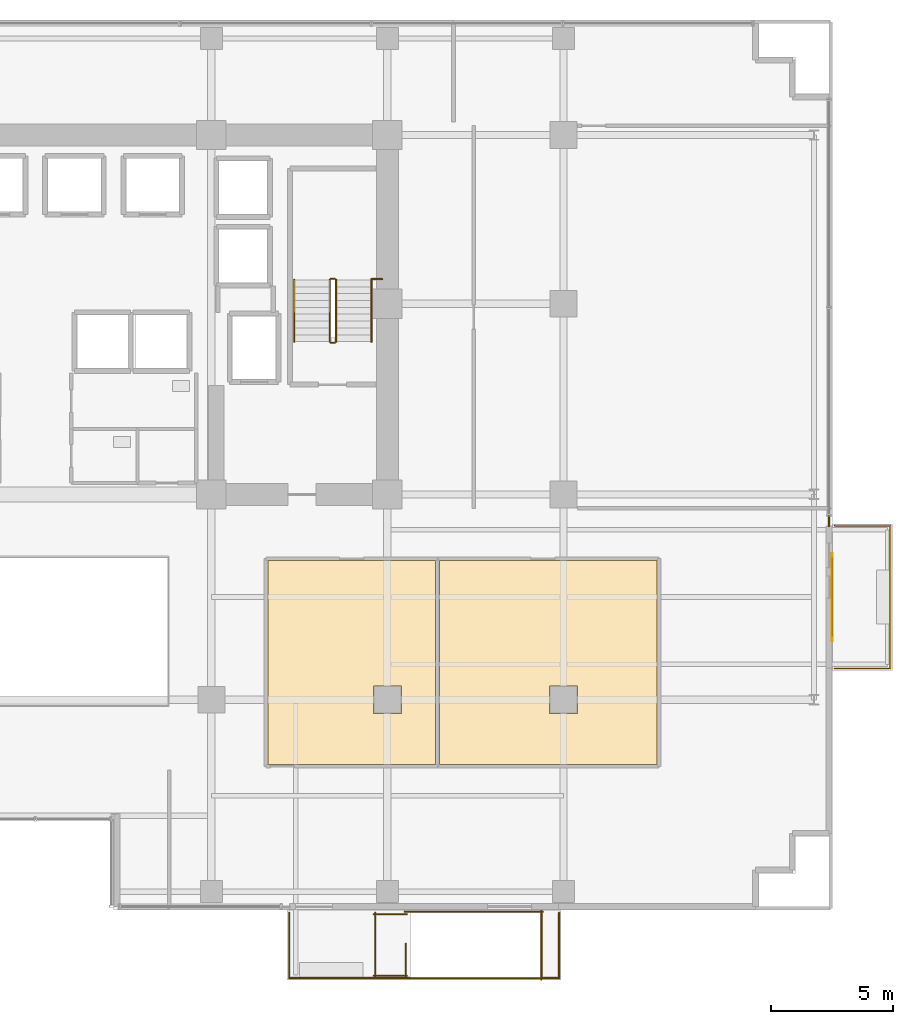
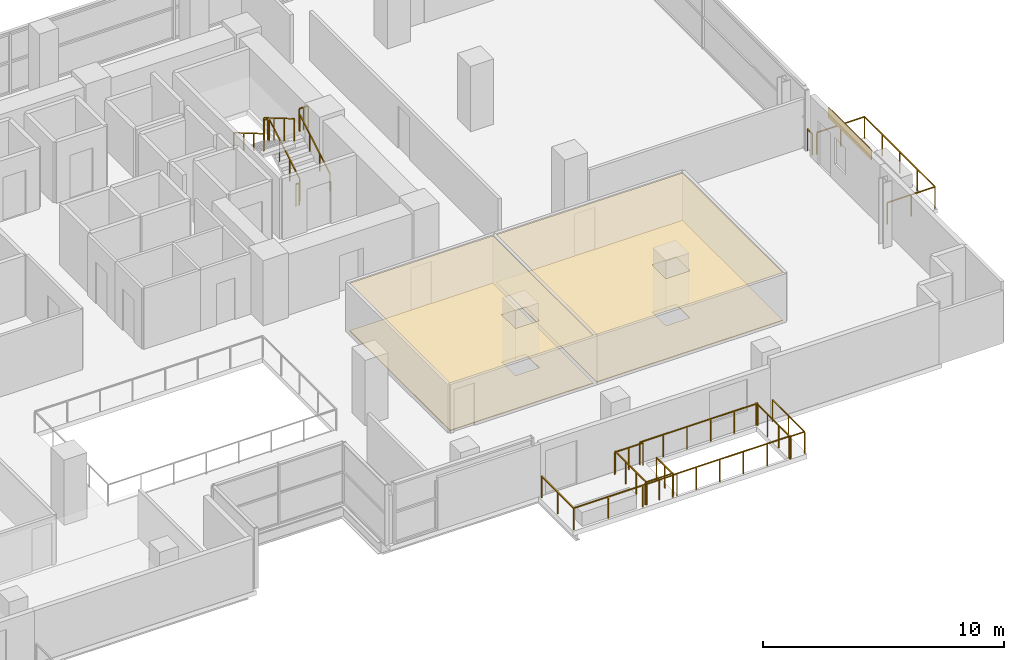
# One storey, part 27 of 28: 18 railings, 5 coverings, 1 shading device.
"""IFC4 building model written with IfcOpenShell, lengths in metres."""

from ifc_helpers import new_model, si_unit, direction, frame, origin, origin_2d, place, context, subcontext, project, spatial, polyline, rectangle, outline, extrude, source, transform, mapped, material, layer, layer_set, type_object, element, save


model = new_model("IFC4")

# Units and contexts
model_context = context("Model", 3, precision=1e-05, world=origin(), true_north=direction((0.0, 1.0)))
body_context = subcontext(model_context, "Body", "Model", "MODEL_VIEW")
ifc_project = project(units=[si_unit("LENGTHUNIT", "METRE"), si_unit("AREAUNIT", "SQUARE_METRE"), si_unit("VOLUMEUNIT", "CUBIC_METRE"), si_unit("PLANEANGLEUNIT", "RADIAN"), si_unit("MASSUNIT", "GRAM", prefix="KILO")], contexts=[model_context])

# Site, building, storey
site_placement = place(None, origin())
site = spatial("IfcSite", under=ifc_project, at=site_placement, CompositionType="ELEMENT")
building_placement = place(site_placement, origin())
building = spatial("IfcBuilding", under=site, at=building_placement, Name="Zarnakvel Exchange Tower", CompositionType="ELEMENT")
storey_placement = place(building_placement, frame((0.0, 0.0, 57.10009765625)))
storey = spatial("IfcBuildingStorey", under=building, at=storey_placement, Name="L15", CompositionType="ELEMENT", Elevation=57.10009765625)

# Coverings
ifc_material_1 = material(Name="Perforated Bronze Acoustic Metal Ceiling", Category="aluminium")
ifc_layer_1 = layer(ifc_material_1, 0.02001953125)
ifc_layer_set_1 = layer_set([ifc_layer_1], Name="Perforated Bronze Acoustic Metal Ceiling")
covering_type_1 = type_object("IfcCoveringType", Name="CLG-01", PredefinedType="CEILING", material=ifc_layer_set_1)
covering_1_placement = place(storey_placement, frame((0.0, 0.0, 2.40478515625)))
element("IfcCovering", 1, at=covering_1_placement, inside=storey, type_object=covering_type_1, Name="L15 Suspended Acoustic Ceiling (Seminar Room)", PredefinedType="CEILING", context=body_context, shape_type="SweptSolid", body=[
    extrude(outline(polyline([(9.510009765625, -3.909912109375), (16.364501953125, -3.909912109375), (16.364501953125, -12.239990234375), (9.510009765625, -12.239990234375), (9.510009765625, -3.909912109375)]), holes=[polyline([(13.830078125, -10.169921875), (14.969970703125, -10.169921875), (14.969970703125, -9.030029296875), (13.830078125, -9.030029296875), (13.830078125, -10.169921875)])]), origin(), (0.0, 0.0, 1.0), 0.02001953125),
])
covering_2_placement = place(storey_placement, frame((0.0, 0.0, 2.40478515625)))
element("IfcCovering", 2, at=covering_2_placement, inside=storey, type_object=covering_type_1, Name="L15 Suspended Acoustic Ceiling (Boardroom)", PredefinedType="CEILING", context=body_context, shape_type="SweptSolid", body=[
    extrude(outline(polyline([(16.5244140625, -3.909912109375), (25.435302734375, -3.909912109375), (25.435302734375, -12.239990234375), (16.5244140625, -12.239990234375), (16.5244140625, -3.909912109375)]), holes=[polyline([(22.169921875, -10.169921875), (22.169921875, -9.030029296875), (21.030029296875, -9.030029296875), (21.030029296875, -10.169921875), (22.169921875, -10.169921875)])]), origin(), (0.0, 0.0, 1.0), 0.02001953125),
])
ifc_material_2 = material(Name="Heavy-Duty Raised Access Floor Panel", Category="steel")
ifc_layer_2 = layer(ifc_material_2, 0.034912109375)
ifc_layer_set_2 = layer_set([ifc_layer_2], Name="Heavy-Duty Raised Access Floor Panel")
covering_type_2 = type_object("IfcCoveringType", Name="FLR-02", PredefinedType="FLOORING", material=ifc_layer_set_2)
covering_3_placement = place(storey_placement, origin())
element("IfcCovering", 3, at=covering_3_placement, inside=storey, type_object=covering_type_2, Name="L15 Floor Finish (Seminar Room)", PredefinedType="FLOORING", context=body_context, shape_type="SweptSolid", body=[
    extrude(outline(polyline([(9.510009765625, -3.909912109375), (16.364501953125, -3.909912109375), (16.364501953125, -12.239990234375), (9.510009765625, -12.239990234375), (9.510009765625, -3.909912109375)]), holes=[polyline([(13.830078125, -10.169921875), (14.969970703125, -10.169921875), (14.969970703125, -9.030029296875), (13.830078125, -9.030029296875), (13.830078125, -10.169921875)])]), origin(), (0.0, 0.0, 1.0), 0.034912109375),
])
covering_4_placement = place(storey_placement, origin())
element("IfcCovering", 4, at=covering_4_placement, inside=storey, type_object=covering_type_2, Name="L15 Floor Finish (Boardroom)", PredefinedType="FLOORING", context=body_context, shape_type="SweptSolid", body=[
    extrude(outline(polyline([(16.5244140625, -3.909912109375), (25.435302734375, -3.909912109375), (25.435302734375, -12.239990234375), (16.5244140625, -12.239990234375), (16.5244140625, -3.909912109375)]), holes=[polyline([(22.169921875, -10.169921875), (22.169921875, -9.030029296875), (21.030029296875, -9.030029296875), (21.030029296875, -10.169921875), (22.169921875, -10.169921875)])]), origin(), (0.0, 0.0, 1.0), 0.034912109375),
])

# Railings
ifc_material_3 = material(Name="Architectural Bronze Anodised Aluminium", Category="aluminium")
railing_type_1 = type_object("IfcRailingType", Name="GR-02", PredefinedType="GUARDRAIL", material=ifc_material_3)
railing_1_placement = place(storey_placement, frame((32.679931640625, -8.320068359375, -0.03515625)))
element("IfcRailing", 5, at=railing_1_placement, inside=storey, type_object=railing_type_1, Name="L15 Balcony Guardrail BAL-L15-E", PredefinedType="GUARDRAIL", context=body_context, shape_type="SweptSolid", body=[
    extrude(rectangle(XDim=0.048095703125, YDim=0.048095703125, at=origin_2d()), frame((0.0, 0.0, 1.09619140625), z_axis=(1.0, 0.0, 0.0), x_axis=(0.0, 1.0, 0.0)), (0.0, 0.0, 1.0), 2.2900390625),
    extrude(rectangle(XDim=0.048095703125, YDim=0.048095703125, at=origin_2d()), frame((2.2900390625, 0.0, 1.09619140625), z_axis=(0.0, 1.0, 0.0), x_axis=(-1.0, 0.0, 0.0)), (0.0, 0.0, 1.0), 5.840087890625),
    extrude(rectangle(XDim=0.048095703125, YDim=0.048095703125, at=origin_2d()), frame((2.2900390625, 5.840087890625, 1.09619140625), z_axis=(-1.0, 0.0, 0.0), x_axis=(0.0, -1.0, 0.0)), (0.0, 0.0, 1.0), 2.2900390625),
    extrude(rectangle(XDim=0.0419921875, YDim=0.0419921875, at=origin_2d()), origin(), (0.0, 0.0, 1.0), 1.072021484375),
    extrude(rectangle(XDim=0.0419921875, YDim=0.0419921875, at=origin_2d()), frame((1.14501953125, 0.0, 0.0)), (0.0, 0.0, 1.0), 1.072021484375),
    extrude(rectangle(XDim=0.0419921875, YDim=0.0419921875, at=origin_2d()), frame((2.2900390625, 0.0, 0.0)), (0.0, 0.0, 1.0), 1.072021484375),
    extrude(rectangle(XDim=0.0419921875, YDim=0.0419921875, at=origin_2d()), frame((2.2900390625, 1.4599609375, 0.0)), (0.0, 0.0, 1.0), 1.072021484375),
    extrude(rectangle(XDim=0.0419921875, YDim=0.0419921875, at=origin_2d()), frame((2.2900390625, 2.919921875, 0.0)), (0.0, 0.0, 1.0), 1.072021484375),
    extrude(rectangle(XDim=0.0419921875, YDim=0.0419921875, at=origin_2d()), frame((2.2900390625, 4.380126953125, 0.0)), (0.0, 0.0, 1.0), 1.072021484375),
    extrude(rectangle(XDim=0.0419921875, YDim=0.0419921875, at=origin_2d()), frame((2.2900390625, 5.840087890625, 0.0)), (0.0, 0.0, 1.0), 1.072021484375),
    extrude(rectangle(XDim=0.0419921875, YDim=0.0419921875, at=origin_2d()), frame((1.14501953125, 5.840087890625, 0.0)), (0.0, 0.0, 1.0), 1.072021484375),
    extrude(rectangle(XDim=0.0419921875, YDim=0.0419921875, at=origin_2d()), frame((0.0, 5.840087890625, 0.0)), (0.0, 0.0, 1.0), 1.072021484375),
])
railing_2_placement = place(storey_placement, frame((10.3798828125, -18.320068359375, 0.0)))
element("IfcRailing", 6, at=railing_2_placement, inside=storey, type_object=railing_type_1, Name="L15 Spiral Sky-Terrace West Perimeter Guardrail", PredefinedType="GUARDRAIL", context=body_context, shape_type="SweptSolid", body=[
    extrude(rectangle(XDim=0.048095703125, YDim=0.048095703125, at=origin_2d()), frame((0.0, 0.0, 1.09619140625), z_axis=(0.0, -1.0, 0.0), x_axis=(1.0, 0.0, 0.0)), (0.0, 0.0, 1.0), 2.659912109375),
    extrude(rectangle(XDim=0.048095703125, YDim=0.048095703125, at=origin_2d()), frame((0.0, -2.659912109375, 1.09619140625), z_axis=(1.0, 0.0, 0.0), x_axis=(0.0, 1.0, 0.0)), (0.0, 0.0, 1.0), 4.940185546875),
    extrude(rectangle(XDim=0.0419921875, YDim=0.0419921875, at=origin_2d()), origin(), (0.0, 0.0, 1.0), 1.072021484375),
    extrude(rectangle(XDim=0.0419921875, YDim=0.0419921875, at=origin_2d()), frame((0.0, -1.330078125, 0.0)), (0.0, 0.0, 1.0), 1.072021484375),
    extrude(rectangle(XDim=0.0419921875, YDim=0.0419921875, at=origin_2d()), frame((0.0, -2.659912109375, 0.0)), (0.0, 0.0, 1.0), 1.072021484375),
    extrude(rectangle(XDim=0.0419921875, YDim=0.0419921875, at=origin_2d()), frame((1.646728515625, -2.659912109375, 0.0)), (0.0, 0.0, 1.0), 1.072021484375),
    extrude(rectangle(XDim=0.0419921875, YDim=0.0419921875, at=origin_2d()), frame((3.29345703125, -2.659912109375, 0.0)), (0.0, 0.0, 1.0), 1.072021484375),
    extrude(rectangle(XDim=0.0419921875, YDim=0.0419921875, at=origin_2d()), frame((4.940185546875, -2.659912109375, 0.0)), (0.0, 0.0, 1.0), 1.072021484375),
])
railing_3_placement = place(storey_placement, frame((20.68994140625, -20.97998046875, 0.0)))
element("IfcRailing", 7, at=railing_3_placement, inside=storey, type_object=railing_type_1, Name="L15 Spiral Sky-Terrace East Corner Guardrail", PredefinedType="GUARDRAIL", context=body_context, shape_type="SweptSolid", body=[
    extrude(rectangle(XDim=0.048095703125, YDim=0.048095703125, at=origin_2d()), frame((0.0, 0.0, 1.09619140625), z_axis=(1.0, 0.0, 0.0), x_axis=(0.0, 1.0, 0.0)), (0.0, 0.0, 1.0), 0.72998046875),
    extrude(rectangle(XDim=0.048095703125, YDim=0.048095703125, at=origin_2d()), frame((0.72998046875, 0.0, 1.09619140625), z_axis=(0.0, 1.0, 0.0), x_axis=(-1.0, 0.0, 0.0)), (0.0, 0.0, 1.0), 2.659912109375),
    extrude(rectangle(XDim=0.0419921875, YDim=0.0419921875, at=origin_2d()), origin(), (0.0, 0.0, 1.0), 1.072021484375),
    extrude(rectangle(XDim=0.0419921875, YDim=0.0419921875, at=origin_2d()), frame((0.72998046875, 0.0, 0.0)), (0.0, 0.0, 1.0), 1.072021484375),
    extrude(rectangle(XDim=0.0419921875, YDim=0.0419921875, at=origin_2d()), frame((0.72998046875, 1.330078125, 0.0)), (0.0, 0.0, 1.0), 1.072021484375),
    extrude(rectangle(XDim=0.0419921875, YDim=0.0419921875, at=origin_2d()), frame((0.72998046875, 2.659912109375, 0.0)), (0.0, 0.0, 1.0), 1.072021484375),
])
railing_4_placement = place(storey_placement, frame((32.4599609375, -2.10009765625, 0.0)))
element("IfcRailing", 8, at=railing_4_placement, inside=storey, type_object=railing_type_1, Name="L15 Corner Spandrel Balustrade #9", PredefinedType="GUARDRAIL", context=body_context, shape_type="SweptSolid", body=[
    extrude(rectangle(XDim=0.048095703125, YDim=0.048095703125, at=origin_2d()), frame((0.0, 0.0, 1.09619140625), z_axis=(0.0, -1.0, 0.0), x_axis=(1.0, 0.0, 0.0)), (0.0, 0.0, 1.0), 0.39990234375),
    extrude(rectangle(XDim=0.0419921875, YDim=0.0419921875, at=origin_2d()), origin(), (0.0, 0.0, 1.0), 1.072021484375),
    extrude(rectangle(XDim=0.0419921875, YDim=0.0419921875, at=origin_2d()), frame((0.0, -0.39990234375, 0.0)), (0.0, 0.0, 1.0), 1.072021484375),
])
ifc_material_4 = material(Name="Brushed Stainless Steel", Category="steel")
railing_type_2 = type_object("IfcRailingType", Name="HR-01", PredefinedType="HANDRAIL", material=ifc_material_4)
railing_5_placement = place(storey_placement, frame((13.75, 5.050048828125, 0.164794921875)))
element("IfcRailing", 9, at=railing_5_placement, inside=storey, type_object=railing_type_2, Name="L15 ST-02 stair handrail 1", PredefinedType="HANDRAIL", context=body_context, shape_type="SweptSolid", body=[
    extrude(rectangle(XDim=0.048095703125, YDim=0.048095703125, at=origin_2d()), frame((0.0, 0.0, 0.8759765625), z_axis=(0.0, 0.86152411907, 0.507716645641), x_axis=(-1.0, 0.0, 0.0)), (0.0, 0.0, 1.0), 2.925048828125),
    extrude(rectangle(XDim=0.0419921875, YDim=0.0419921875, at=origin_2d()), origin(), (0.0, 0.0, 1.0), 0.851806640625),
    extrude(rectangle(XDim=0.0419921875, YDim=0.0419921875, at=origin_2d()), frame((0.0, 0.840087890625, 0.4951171875)), (0.0, 0.0, 1.0), 0.851806640625),
    extrude(rectangle(XDim=0.0419921875, YDim=0.0419921875, at=origin_2d()), frame((0.0, 1.679931640625, 0.989990234375)), (0.0, 0.0, 1.0), 0.851806640625),
    extrude(rectangle(XDim=0.0419921875, YDim=0.0419921875, at=origin_2d()), frame((0.0, 2.52001953125, 1.485107421875)), (0.0, 0.0, 1.0), 0.851806640625),
])
railing_6_placement = place(storey_placement, frame((10.590087890625, 7.570068359375, 1.81494140625)))
element("IfcRailing", 10, at=railing_6_placement, inside=storey, type_object=railing_type_2, Name="L15 ST-02 stair handrail 2", PredefinedType="HANDRAIL", context=body_context, shape_type="SweptSolid", body=[
    extrude(rectangle(XDim=0.048095703125, YDim=0.048095703125, at=origin_2d()), frame((0.0, 0.0, 0.8759765625), z_axis=(0.0, -0.861560626758, 0.507654692109), x_axis=(1.0, 0.0, 0.0)), (0.0, 0.0, 1.0), 2.925048828125),
    extrude(rectangle(XDim=0.0419921875, YDim=0.0419921875, at=origin_2d()), origin(), (0.0, 0.0, 1.0), 0.851806640625),
    extrude(rectangle(XDim=0.0419921875, YDim=0.0419921875, at=origin_2d()), frame((0.0, -0.840087890625, 0.494873046875)), (0.0, 0.0, 1.0), 0.851806640625),
    extrude(rectangle(XDim=0.0419921875, YDim=0.0419921875, at=origin_2d()), frame((0.0, -1.679931640625, 0.989990234375)), (0.0, 0.0, 1.0), 0.851806640625),
    extrude(rectangle(XDim=0.0419921875, YDim=0.0419921875, at=origin_2d()), frame((0.0, -2.52001953125, 1.48486328125)), (0.0, 0.0, 1.0), 0.851806640625),
])
railing_type_3 = type_object("IfcRailingType", Name="SG-01", PredefinedType="GUARDRAIL", material=ifc_material_3)
railing_7_placement = place(storey_placement, frame((12.300048828125, 5.050048828125, 0.164794921875)))
element("IfcRailing", 11, at=railing_7_placement, inside=storey, type_object=railing_type_3, Name="L15 ST-02 stair guard 1", PredefinedType="GUARDRAIL", context=body_context, shape_type="SweptSolid", body=[
    extrude(rectangle(XDim=0.048095703125, YDim=0.048095703125, at=origin_2d()), frame((0.0, 0.0, 1.1259765625), z_axis=(0.0, 0.86152411907, 0.507716645641), x_axis=(-1.0, 0.0, 0.0)), (0.0, 0.0, 1.0), 2.925048828125),
    extrude(rectangle(XDim=0.0419921875, YDim=0.0419921875, at=origin_2d()), origin(), (0.0, 0.0, 1.0), 1.101806640625),
    extrude(rectangle(XDim=0.0419921875, YDim=0.0419921875, at=origin_2d()), frame((0.0, 0.840087890625, 0.4951171875)), (0.0, 0.0, 1.0), 1.101806640625),
    extrude(rectangle(XDim=0.0419921875, YDim=0.0419921875, at=origin_2d()), frame((0.0, 1.679931640625, 0.989990234375)), (0.0, 0.0, 1.0), 1.101806640625),
    extrude(rectangle(XDim=0.0419921875, YDim=0.0419921875, at=origin_2d()), frame((0.0, 2.52001953125, 1.485107421875)), (0.0, 0.0, 1.0), 1.101806640625),
])
railing_8_placement = place(storey_placement, frame((12.25, 7.6201171875, 1.64990234375)))
element("IfcRailing", 12, at=railing_8_placement, inside=storey, type_object=railing_type_3, Name="L15 ST-02 stair guard 2", PredefinedType="GUARDRAIL", context=body_context, shape_type="SweptSolid", body=[
    extrude(rectangle(XDim=0.048095703125, YDim=0.048095703125, at=origin_2d()), frame((0.0, 0.0, 1.1259765625), z_axis=(-1.0, 0.0, 0.0), x_axis=(0.0, -1.0, 0.0)), (0.0, 0.0, 1.0), 0.159912109375),
    extrude(rectangle(XDim=0.0419921875, YDim=0.0419921875, at=origin_2d()), origin(), (0.0, 0.0, 1.0), 1.101806640625),
    extrude(rectangle(XDim=0.0419921875, YDim=0.0419921875, at=origin_2d()), frame((-0.159912109375, 0.0, 0.0)), (0.0, 0.0, 1.0), 1.101806640625),
])
railing_9_placement = place(storey_placement, frame((12.0400390625, 7.570068359375, 1.81494140625)))
element("IfcRailing", 13, at=railing_9_placement, inside=storey, type_object=railing_type_3, Name="L15 ST-02 stair guard 3", PredefinedType="GUARDRAIL", context=body_context, shape_type="SweptSolid", body=[
    extrude(rectangle(XDim=0.048095703125, YDim=0.048095703125, at=origin_2d()), frame((0.0, 0.0, 1.1259765625), z_axis=(0.0, -0.861560626758, 0.507654692109), x_axis=(1.0, 0.0, 0.0)), (0.0, 0.0, 1.0), 2.925048828125),
    extrude(rectangle(XDim=0.0419921875, YDim=0.0419921875, at=origin_2d()), origin(), (0.0, 0.0, 1.0), 1.101806640625),
    extrude(rectangle(XDim=0.0419921875, YDim=0.0419921875, at=origin_2d()), frame((0.0, -0.840087890625, 0.494873046875)), (0.0, 0.0, 1.0), 1.101806640625),
    extrude(rectangle(XDim=0.0419921875, YDim=0.0419921875, at=origin_2d()), frame((0.0, -1.679931640625, 0.989990234375)), (0.0, 0.0, 1.0), 1.101806640625),
    extrude(rectangle(XDim=0.0419921875, YDim=0.0419921875, at=origin_2d()), frame((0.0, -2.52001953125, 1.48486328125)), (0.0, 0.0, 1.0), 1.101806640625),
])
railing_10_placement = place(storey_placement, frame((12.25, 5.0, 0.0)))
element("IfcRailing", 14, at=railing_10_placement, inside=storey, type_object=railing_type_3, Name="L15 ST-02 stair guard 4", PredefinedType="GUARDRAIL", context=body_context, shape_type="SweptSolid", body=[
    extrude(rectangle(XDim=0.048095703125, YDim=0.048095703125, at=origin_2d()), frame((0.0, 0.0, 1.1259765625), z_axis=(-1.0, 0.0, 0.0), x_axis=(0.0, -1.0, 0.0)), (0.0, 0.0, 1.0), 0.159912109375),
    extrude(rectangle(XDim=0.0419921875, YDim=0.0419921875, at=origin_2d()), origin(), (0.0, 0.0, 1.0), 1.101806640625),
    extrude(rectangle(XDim=0.0419921875, YDim=0.0419921875, at=origin_2d()), frame((-0.159912109375, 0.0, 0.0)), (0.0, 0.0, 1.0), 1.101806640625),
])
railing_11_placement = place(storey_placement, frame((13.75, 7.610107421875, 1.64990234375)))
element("IfcRailing", 15, at=railing_11_placement, inside=storey, type_object=railing_type_3, Name="L15 ST-02 Landing Slot Guardrail", PredefinedType="GUARDRAIL", context=body_context, shape_type="SweptSolid", body=[
    extrude(rectangle(XDim=0.048095703125, YDim=0.048095703125, at=origin_2d()), frame((0.0, 0.0, 1.1259765625), z_axis=(1.0, 0.0, 0.0), x_axis=(0.0, 1.0, 0.0)), (0.0, 0.0, 1.0), 0.429931640625),
    extrude(rectangle(XDim=0.0419921875, YDim=0.0419921875, at=origin_2d()), origin(), (0.0, 0.0, 1.0), 1.101806640625),
    extrude(rectangle(XDim=0.0419921875, YDim=0.0419921875, at=origin_2d()), frame((0.21484375, 0.0, 0.0)), (0.0, 0.0, 1.0), 1.101806640625),
    extrude(rectangle(XDim=0.0419921875, YDim=0.0419921875, at=origin_2d()), frame((0.429931640625, 0.0, 0.0)), (0.0, 0.0, 1.0), 1.101806640625),
])
railing_12_placement = place(storey_placement, frame((15.14990234375, -20.93994140625, 0.0)))
element("IfcRailing", 16, at=railing_12_placement, inside=storey, type_object=railing_type_3, Name="L15 ST-08 top well guard 1", PredefinedType="GUARDRAIL", context=body_context, shape_type="SweptSolid", body=[
    extrude(rectangle(XDim=0.048095703125, YDim=0.048095703125, at=origin_2d()), frame((0.0, 0.0, 1.1259765625), z_axis=(0.0, 1.0, 0.0), x_axis=(-1.0, 0.0, 0.0)), (0.0, 0.0, 1.0), 1.369873046875),
    extrude(rectangle(XDim=0.0419921875, YDim=0.0419921875, at=origin_2d()), origin(), (0.0, 0.0, 1.0), 1.101806640625),
    extrude(rectangle(XDim=0.0419921875, YDim=0.0419921875, at=origin_2d()), frame((0.0, 0.68505859375, 0.0)), (0.0, 0.0, 1.0), 1.101806640625),
    extrude(rectangle(XDim=0.0419921875, YDim=0.0419921875, at=origin_2d()), frame((0.0, 1.369873046875, 0.0)), (0.0, 0.0, 1.0), 1.101806640625),
])
for number, where, name in (
    (17, (15.10009765625, -20.989990234375, 0.0), "L15 ST-08 top well guard 2"),
    (18, (15.10009765625, -18.27001953125, 0.0), "L15 ST-08 top well guard 3"),
):
    element("IfcRailing", number, at=place(storey_placement, frame(where)), inside=storey, type_object=railing_type_3, Name=name, PredefinedType="GUARDRAIL", context=body_context, shape_type="SweptSolid", body=[
        extrude(rectangle(XDim=0.048095703125, YDim=0.048095703125, at=origin_2d()), frame((0.0, 0.0, 1.1259765625), z_axis=(1.0, 0.0, 0.0), x_axis=(0.0, 1.0, 0.0)), (0.0, 0.0, 1.0), 5.64990234375),
        extrude(rectangle(XDim=0.0419921875, YDim=0.0419921875, at=origin_2d()), origin(), (0.0, 0.0, 1.0), 1.101806640625),
        extrude(rectangle(XDim=0.0419921875, YDim=0.0419921875, at=origin_2d()), frame((1.1298828125, 0.0, 0.0)), (0.0, 0.0, 1.0), 1.101806640625),
        extrude(rectangle(XDim=0.0419921875, YDim=0.0419921875, at=origin_2d()), frame((2.260009765625, 0.0, 0.0)), (0.0, 0.0, 1.0), 1.101806640625),
        extrude(rectangle(XDim=0.0419921875, YDim=0.0419921875, at=origin_2d()), frame((3.389892578125, 0.0, 0.0)), (0.0, 0.0, 1.0), 1.101806640625),
        extrude(rectangle(XDim=0.0419921875, YDim=0.0419921875, at=origin_2d()), frame((4.52001953125, 0.0, 0.0)), (0.0, 0.0, 1.0), 1.101806640625),
        extrude(rectangle(XDim=0.0419921875, YDim=0.0419921875, at=origin_2d()), frame((5.64990234375, 0.0, 0.0)), (0.0, 0.0, 1.0), 1.101806640625),
    ])
railing_13_placement = place(storey_placement, frame((20.699951171875, -21.0400390625, 0.0)))
element("IfcRailing", 19, at=railing_13_placement, inside=storey, type_object=railing_type_3, Name="L15 ST-08 top well guard 4", PredefinedType="GUARDRAIL", context=body_context, shape_type="SweptSolid", body=[
    extrude(rectangle(XDim=0.048095703125, YDim=0.048095703125, at=origin_2d()), frame((0.0, 0.0, 1.1259765625), z_axis=(0.0, 1.0, 0.0), x_axis=(-1.0, 0.0, 0.0)), (0.0, 0.0, 1.0), 2.820068359375),
    extrude(rectangle(XDim=0.0419921875, YDim=0.0419921875, at=origin_2d()), origin(), (0.0, 0.0, 1.0), 1.101806640625),
    extrude(rectangle(XDim=0.0419921875, YDim=0.0419921875, at=origin_2d()), frame((0.0, 0.93994140625, 0.0)), (0.0, 0.0, 1.0), 1.101806640625),
    extrude(rectangle(XDim=0.0419921875, YDim=0.0419921875, at=origin_2d()), frame((0.0, 1.880126953125, 0.0)), (0.0, 0.0, 1.0), 1.101806640625),
    extrude(rectangle(XDim=0.0419921875, YDim=0.0419921875, at=origin_2d()), frame((0.0, 2.820068359375, 0.0)), (0.0, 0.0, 1.0), 1.101806640625),
])
for number, where, name in (
    (20, (13.85009765625, -20.889892578125, 0.0), "L15 ST-08 top well guard 5"),
    (21, (13.85009765625, -18.3701171875, 0.0), "L15 ST-08 top well guard 6"),
):
    element("IfcRailing", number, at=place(storey_placement, frame(where)), inside=storey, type_object=railing_type_3, Name=name, PredefinedType="GUARDRAIL", context=body_context, shape_type="SweptSolid", body=[
        extrude(rectangle(XDim=0.048095703125, YDim=0.048095703125, at=origin_2d()), frame((0.0, 0.0, 1.1259765625), z_axis=(1.0, 0.0, 0.0), x_axis=(0.0, 1.0, 0.0)), (0.0, 0.0, 1.0), 1.349853515625),
        extrude(rectangle(XDim=0.0419921875, YDim=0.0419921875, at=origin_2d()), origin(), (0.0, 0.0, 1.0), 1.101806640625),
        extrude(rectangle(XDim=0.0419921875, YDim=0.0419921875, at=origin_2d()), frame((0.6748046875, 0.0, 0.0)), (0.0, 0.0, 1.0), 1.101806640625),
        extrude(rectangle(XDim=0.0419921875, YDim=0.0419921875, at=origin_2d()), frame((1.349853515625, 0.0, 0.0)), (0.0, 0.0, 1.0), 1.101806640625),
    ])
railing_14_placement = place(storey_placement, frame((13.89990234375, -20.93994140625, 0.0)))
element("IfcRailing", 22, at=railing_14_placement, inside=storey, type_object=railing_type_3, Name="L15 ST-08 top well guard 7", PredefinedType="GUARDRAIL", context=body_context, shape_type="SweptSolid", body=[
    extrude(rectangle(XDim=0.048095703125, YDim=0.048095703125, at=origin_2d()), frame((0.0, 0.0, 1.1259765625), z_axis=(0.0, 1.0, 0.0), x_axis=(-1.0, 0.0, 0.0)), (0.0, 0.0, 1.0), 2.619873046875),
    extrude(rectangle(XDim=0.0419921875, YDim=0.0419921875, at=origin_2d()), origin(), (0.0, 0.0, 1.0), 1.101806640625),
    extrude(rectangle(XDim=0.0419921875, YDim=0.0419921875, at=origin_2d()), frame((0.0, 0.873291015625, 0.0)), (0.0, 0.0, 1.0), 1.101806640625),
    extrude(rectangle(XDim=0.0419921875, YDim=0.0419921875, at=origin_2d()), frame((0.0, 1.74658203125, 0.0)), (0.0, 0.0, 1.0), 1.101806640625),
    extrude(rectangle(XDim=0.0419921875, YDim=0.0419921875, at=origin_2d()), frame((0.0, 2.619873046875, 0.0)), (0.0, 0.0, 1.0), 1.101806640625),
])

# Covering
ifc_material_5 = material(Name="Warm Sandstone Terracotta Spandrel Tile", Category="masonry")
ifc_layer_3 = layer(ifc_material_5, 0.031982421875)
ifc_layer_set_3 = layer_set([ifc_layer_3], Name="Warm Sandstone Terracotta Spandrel Tile")
covering_type_3 = type_object("IfcCoveringType", Name="CL-02", PredefinedType="CLADDING", material=ifc_layer_set_3)
shared_shape_1 = source(origin(), body_context, "Body", "SweptSolid", [
    extrude(rectangle(XDim=3.60009765625, YDim=0.031982421875, at=origin_2d()), origin(), (0.0, 0.0, 1.0), 0.4951171875),
])
covering_5_placement = place(storey_placement, frame((32.593994140625, -5.39990234375, 2.559814453125), z_axis=(0.0, 0.0, 1.0), x_axis=(0.0, -1.0, 0.0)))
element("IfcCovering", 23, at=covering_5_placement, inside=storey, type_object=covering_type_3, Name="L15 Ceramic Spandrel Tilework CL-02", PredefinedType="CLADDING", context=body_context, shape_type="MappedRepresentation", body=[
    mapped(shared_shape_1, transform((0.0, 0.0, 0.0), x_axis=(1.0, 0.0, 0.0), y_axis=(0.0, 1.0, 0.0), z_axis=(0.0, 0.0, 1.0), scale=1.0)),
])

# Shading device
ifc_material_6 = material(Name="Perforated Architectural Bronze Screen", Category="aluminium")
ifc_layer_4 = layer(ifc_material_6, 0.044921875)
ifc_layer_set_4 = layer_set([ifc_layer_4], Name="Perforated Architectural Bronze Screen")
shading_device_type = type_object("IfcShadingDeviceType", Name="SS-01", PredefinedType="JALOUSIE", material=ifc_layer_set_4)
shared_shape_2 = source(origin(), body_context, "Body", "SweptSolid", [
    extrude(rectangle(XDim=3.199951171875, YDim=0.044921875, at=origin_2d()), origin(), (0.0, 0.0, 1.0), 0.4951171875),
])
shading_device_placement = place(storey_placement, frame((32.6005859375, -5.39990234375, 2.559814453125), z_axis=(0.0, 0.0, 1.0), x_axis=(0.0, -1.0, 0.0)))
element("IfcShadingDevice", 24, at=shading_device_placement, inside=storey, type_object=shading_device_type, Name="L15 Bronze Solar Shading Screen SS-01", PredefinedType="JALOUSIE", context=body_context, shape_type="MappedRepresentation", body=[
    mapped(shared_shape_2, transform((0.0, 0.0, 0.0), x_axis=(1.0, 0.0, 0.0), y_axis=(0.0, 1.0, 0.0), z_axis=(0.0, 0.0, 1.0), scale=1.0)),
])

save(model, "model.ifc")
